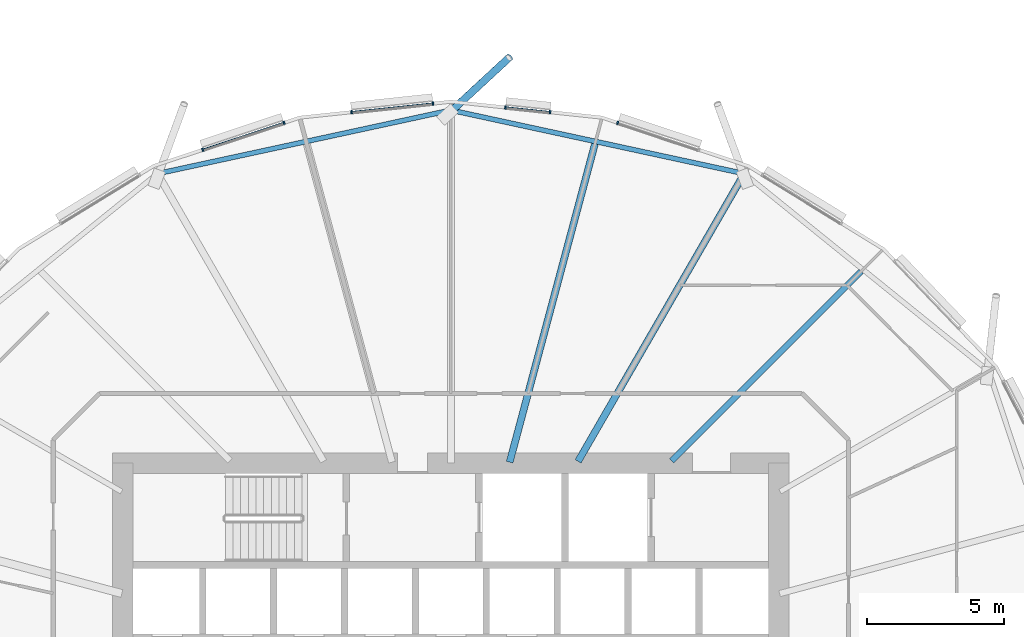
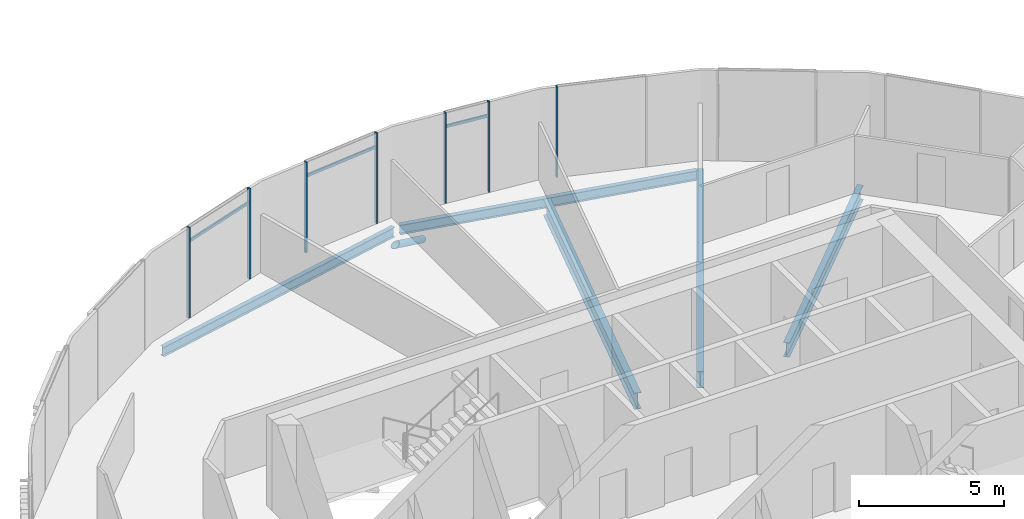
# One storey, part 10 of 42: 11 members, 5 beams, 1 element without a shape of its own.
"""IFC4 building model written with IfcOpenShell, lengths in metres."""

from ifc_helpers import new_model, si_unit, direction, frame, origin, origin_2d, place, context, subcontext, project, spatial, rectangle, hollow_circle, i_section, extrude, clip, halfspace, material, material_profile, profile_set, type_object, element, aggregate, save


model = new_model("IFC4")

# Units and contexts
model_context = context("Model", 3, precision=1e-05, world=origin(), true_north=direction((0.0, 1.0)))
body_context = subcontext(model_context, "Body", "Model", "MODEL_VIEW")
ifc_project = project(units=[si_unit("LENGTHUNIT", "METRE"), si_unit("AREAUNIT", "SQUARE_METRE"), si_unit("VOLUMEUNIT", "CUBIC_METRE"), si_unit("PLANEANGLEUNIT", "RADIAN"), si_unit("MASSUNIT", "GRAM", prefix="KILO")], contexts=[model_context])

# Site, building, storey
site_placement = place(None, origin())
site = spatial("IfcSite", under=ifc_project, at=site_placement, CompositionType="ELEMENT")
building_placement = place(site_placement, origin())
building = spatial("IfcBuilding", under=site, at=building_placement, Name="Rimbun Link Towers", CompositionType="ELEMENT")
storey_placement = place(building_placement, frame((0.0, 0.0, 85.39990234375)))
storey = spatial("IfcBuildingStorey", under=building, at=storey_placement, Name="L20", CompositionType="ELEMENT", Elevation=85.39990234375)

# Curtain wall, members
ifc_material_1 = material(Name="Aluminium 6063-T6 and low-iron glass", Category="aluminium")
curtain_wall_type = type_object("IfcCurtainWallType", Name="CW1-Z2 unitised vision wall (zone 2)", PredefinedType="NOTDEFINED", material=ifc_material_1)
curtain_wall_placement = place(storey_placement, origin())
curtain_wall = element("IfcCurtainWall", 1, at=curtain_wall_placement, inside=storey, type_object=curtain_wall_type, Name="CW1 L20 T1", PredefinedType="NOTDEFINED")
ifc_material_2 = material(Name="Aluminium 6063-T6", Category="aluminium")
ifc_material_profile_1 = material_profile(ifc_material_2, rectangle(XDim=0.1201171875, YDim=0.06005859375, at=origin_2d()), Name="MULLION 60X120")
ifc_profile_set_1 = profile_set([ifc_material_profile_1], Name="Aluminium 6063-T6")
member_type_1 = type_object("IfcMemberType", Name="CW1 mullion 60X120", PredefinedType="MULLION", material=ifc_profile_set_1)
member_1_placement = place(storey_placement, frame((-25.645751953125, 20.453369140625, 0.0), z_axis=(0.0, 0.0, 1.0), x_axis=(0.314576015911, 0.949232284646, 0.0)))
member_1 = element("IfcMember", 2, at=member_1_placement, type_object=member_type_1, Name="CW1 mullion", PredefinedType="MULLION", context=body_context, shape_type="SweptSolid", body=[
    extrude(rectangle(XDim=0.1201171875, YDim=0.06005859375, at=origin_2d()), origin(), (0.0, 0.0, 1.0), 3.800048828125),
])
member_2_placement = place(storey_placement, frame((-29.754638671875, 21.01611328125, 0.0), z_axis=(0.0, 0.0, 1.0), x_axis=(0.104736404583, 0.994500017876, 0.0)))
member_2 = element("IfcMember", 3, at=member_2_placement, type_object=member_type_1, Name="CW1 mullion", PredefinedType="MULLION", context=body_context, shape_type="SweptSolid", body=[
    extrude(rectangle(XDim=0.1201171875, YDim=0.06005859375, at=origin_2d()), origin(), (0.0, 0.0, 1.0), 3.800048828125),
])
member_3_placement = place(storey_placement, frame((-28.117431640625, 20.84375, 0.0), z_axis=(0.0, 0.0, 1.0), x_axis=(0.104736404583, 0.994500017876, 0.0)))
member_3 = element("IfcMember", 4, at=member_3_placement, type_object=member_type_1, Name="CW1 mullion", PredefinedType="MULLION", context=body_context, shape_type="SweptSolid", body=[
    extrude(rectangle(XDim=0.1201171875, YDim=0.06005859375, at=origin_2d()), origin(), (0.0, 0.0, 1.0), 3.800048828125),
])
member_4_placement = place(storey_placement, frame((-35.382568359375, 20.84375, 0.0), z_axis=(0.0, 0.0, 1.0), x_axis=(-0.104736404583, 0.994500017876, 0.0)))
member_4 = element("IfcMember", 5, at=member_4_placement, type_object=member_type_1, Name="CW1 mullion", PredefinedType="MULLION", context=body_context, shape_type="SweptSolid", body=[
    extrude(rectangle(XDim=0.1201171875, YDim=0.06005859375, at=origin_2d()), origin(), (0.0, 0.0, 1.0), 3.800048828125),
])
member_5_placement = place(storey_placement, frame((-32.402587890625, 21.157470703125, 0.0), z_axis=(0.0, 0.0, 1.0), x_axis=(-0.104736404583, 0.994500017876, 0.0)))
member_5 = element("IfcMember", 6, at=member_5_placement, type_object=member_type_1, Name="CW1 mullion", PredefinedType="MULLION", context=body_context, shape_type="SweptSolid", body=[
    extrude(rectangle(XDim=0.1201171875, YDim=0.06005859375, at=origin_2d()), origin(), (0.0, 0.0, 1.0), 3.800048828125),
])
member_6_placement = place(storey_placement, frame((-40.8271484375, 19.468017578125, 0.0), z_axis=(0.0, 0.0, 1.0), x_axis=(-0.314576015911, 0.949232284646, 0.0)))
member_6 = element("IfcMember", 7, at=member_6_placement, type_object=member_type_1, Name="CW1 mullion", PredefinedType="MULLION", context=body_context, shape_type="SweptSolid", body=[
    extrude(rectangle(XDim=0.1201171875, YDim=0.06005859375, at=origin_2d()), origin(), (0.0, 0.0, 1.0), 3.800048828125),
])
member_7_placement = place(storey_placement, frame((-37.854248046875, 20.453369140625, 0.0), z_axis=(0.0, 0.0, 1.0), x_axis=(-0.314576015911, 0.949232284646, 0.0)))
member_7 = element("IfcMember", 8, at=member_7_placement, type_object=member_type_1, Name="CW1 mullion", PredefinedType="MULLION", context=body_context, shape_type="SweptSolid", body=[
    extrude(rectangle(XDim=0.1201171875, YDim=0.06005859375, at=origin_2d()), origin(), (0.0, 0.0, 1.0), 3.800048828125),
])
ifc_material_3 = material(Name="Aluminium 6063-T6", Category="aluminium")
ifc_material_profile_2 = material_profile(ifc_material_3, rectangle(XDim=0.06005859375, YDim=0.1201171875, at=origin_2d()), Name="TRANSOM 60X120")
ifc_profile_set_2 = profile_set([ifc_material_profile_2], Name="Aluminium 6063-T6")
member_type_2 = type_object("IfcMemberType", Name="CW1 transom 60X120", PredefinedType="USERDEFINED", material=ifc_profile_set_2)
member_8_placement = place(storey_placement, frame((-29.72509765625, 21.010986328125, 3.2001953125), z_axis=(0.99450882558, -0.104652739306, 0.0), x_axis=(0.104652739306, 0.99450882558, 0.0)))
member_8 = element("IfcMember", 9, at=member_8_placement, type_object=member_type_2, Name="CW1 transom", ObjectType="TRANSOM", PredefinedType="USERDEFINED", context=body_context, shape_type="SweptSolid", body=[
    extrude(rectangle(XDim=0.06005859375, YDim=0.1201171875, at=origin_2d()), origin(), (0.0, 0.0, 1.0), 1.58642578125),
])
member_9_placement = place(storey_placement, frame((-35.3525390625, 20.844970703125, 3.2001953125), z_axis=(0.994505908505, 0.104680456384, 0.0), x_axis=(-0.104680456384, 0.994505908505, 0.0)))
member_9 = element("IfcMember", 10, at=member_9_placement, type_object=member_type_2, Name="CW1 transom", ObjectType="TRANSOM", PredefinedType="USERDEFINED", context=body_context, shape_type="SweptSolid", body=[
    extrude(rectangle(XDim=0.06005859375, YDim=0.1201171875, at=origin_2d()), origin(), (0.0, 0.0, 1.0), 2.936279296875),
])
member_10_placement = place(storey_placement, frame((-40.798095703125, 19.4755859375, 3.2001953125), z_axis=(0.949238148414, 0.314558321452, 0.0), x_axis=(-0.314558321452, 0.949238148414, 0.0)))
member_10 = element("IfcMember", 11, at=member_10_placement, type_object=member_type_2, Name="CW1 transom", ObjectType="TRANSOM", PredefinedType="USERDEFINED", context=body_context, shape_type="SweptSolid", body=[
    extrude(rectangle(XDim=0.06005859375, YDim=0.1201171875, at=origin_2d()), origin(), (0.0, 0.0, 1.0), 3.072021484375),
])
aggregate(curtain_wall, [member_1, member_2, member_3, member_4, member_5, member_6, member_7, member_8, member_9, member_10])

# Member
ifc_material_4 = material(Name="Steel S355J2H", Category="steel")
ifc_material_profile_3 = material_profile(ifc_material_4, hollow_circle(Radius=0.136474609375, WallThickness=0.012451171875, at=origin_2d()), Name="CHS 273x12.5")
ifc_profile_set_3 = profile_set([ifc_material_profile_3], Name="Steel S355J2H")
member_type_3 = type_object("IfcMemberType", Name="Floor edge link CHS 273x12.5", PredefinedType="BRACE", material=ifc_profile_set_3)
member_11_placement = place(storey_placement, frame((-31.75, 20.864501953125, -0.9609375), z_axis=(0.631149036449, 0.583744831533, -0.510776727591), x_axis=(-0.678999338373, 0.734138882289, 0.0)))
element("IfcMember", 12, at=member_11_placement, inside=storey, type_object=member_type_3, Name="Floor edge link T1 L20 06", PredefinedType="BRACE", context=body_context, shape_type="Clipping", body=[
    clip(extrude(hollow_circle(Radius=0.136474609375, WallThickness=0.012451171875, at=origin_2d()), frame((0.0, 0.0, -0.47900390625)), (0.0, 0.0, 1.0), 3.888427734375), halfspace(frame((0.0, 0.0, -0.22607421875), z_axis=(0.0, 0.859713402566, -0.510776727591)), False)),
])

# Beams
ifc_material_5 = material(Name="Steel S355J2", Category="steel")
ifc_material_profile_4 = material_profile(ifc_material_5, i_section(OverallWidth=0.177978515625, OverallDepth=0.406494140625, WebThickness=0.0078125, FlangeThickness=0.0126953125, at=origin_2d()), Name="UB 406x178x60")
ifc_profile_set_4 = profile_set([ifc_material_profile_4], Name="Steel S355J2")
beam_type_1 = type_object("IfcBeamType", Name="UB 406x178x60", PredefinedType="BEAM", material=ifc_profile_set_4)
for number, where, z_axis, x_axis, name in (
    (13, (-21.14697265625, 18.62060546875, -0.363037109375), (-0.97738681587, 0.211459244686, 0.0), (-0.211459244686, -0.97738681587, 0.0), "Edge beam T1 L20 04-06"),
    (14, (-31.877685546875, 20.886962890625, -0.363037109375), (-0.97738681587, -0.211459244686, 0.0), (0.211459244686, -0.97738681587, 0.0), "Edge beam T1 L20 06-08"),
):
    element("IfcBeam", number, at=place(storey_placement, frame(where, z_axis=z_axis, x_axis=x_axis)), inside=storey, type_object=beam_type_1, Name=name, PredefinedType="BEAM", context=body_context, shape_type="SweptSolid", body=[
        extrude(i_section(OverallWidth=0.177978515625, OverallDepth=0.406494140625, WebThickness=0.0078125, FlangeThickness=0.0126953125, at=origin_2d()), origin(), (0.0, 0.0, 1.0), 10.7177734375),
    ])
ifc_material_6 = material(Name="Steel S355J2", Category="steel")
ifc_material_profile_5 = material_profile(ifc_material_6, i_section(OverallWidth=0.2275390625, OverallDepth=0.6025390625, WebThickness=0.010498046875, FlangeThickness=0.014892578125, at=origin_2d()), Name="UB 610x229x101")
ifc_profile_set_5 = profile_set([ifc_material_profile_5], Name="Steel S355J2")
beam_type_2 = type_object("IfcBeamType", Name="UB 610x229x101", PredefinedType="BEAM", material=ifc_profile_set_5)
beam_1_placement = place(storey_placement, frame((-23.668701171875, 8.081298828125, -0.461181640625), z_axis=(0.707106781187, 0.707106781187, 0.0), x_axis=(-0.707106781187, 0.707106781187, 0.0)))
element("IfcBeam", 15, at=beam_1_placement, inside=storey, type_object=beam_type_2, Name="Radial beam T1 L20 03", PredefinedType="BEAM", context=body_context, shape_type="SweptSolid", body=[
    extrude(i_section(OverallWidth=0.2275390625, OverallDepth=0.6025390625, WebThickness=0.010498046875, FlangeThickness=0.014892578125, at=origin_2d()), origin(), (0.0, 0.0, 1.0), 9.809326171875),
])
ifc_material_7 = material(Name="Steel S355J2", Category="steel")
ifc_material_profile_6 = material_profile(ifc_material_7, i_section(OverallWidth=0.253662109375, OverallDepth=0.68359375, WebThickness=0.012451171875, FlangeThickness=0.01904296875, at=origin_2d()), Name="UB 686x254x140")
ifc_profile_set_6 = profile_set([ifc_material_profile_6], Name="Steel S355J2")
beam_type_3 = type_object("IfcBeamType", Name="UB 686x254x140", PredefinedType="BEAM", material=ifc_profile_set_6)
beam_2_placement = place(storey_placement, frame((-27.093994140625, 8.064208984375, -0.501708984375), z_axis=(0.499998860433, 0.866026061713, 0.0), x_axis=(-0.866026061713, 0.499998860433, 0.0)))
element("IfcBeam", 16, at=beam_2_placement, inside=storey, type_object=beam_type_3, Name="Radial beam T1 L20 04", PredefinedType="BEAM", context=body_context, shape_type="SweptSolid", body=[
    extrude(i_section(OverallWidth=0.253662109375, OverallDepth=0.68359375, WebThickness=0.012451171875, FlangeThickness=0.01904296875, at=origin_2d()), origin(), (0.0, 0.0, 1.0), 12.15673828125),
])
beam_3_placement = place(storey_placement, frame((-29.597412109375, 8.03369140625, -0.501708984375), z_axis=(0.258821765746, 0.965925097291, 0.0), x_axis=(-0.965925097291, 0.258821765746, 0.0)))
element("IfcBeam", 17, at=beam_3_placement, inside=storey, type_object=beam_type_3, Name="Radial beam T1 L20 05", PredefinedType="BEAM", context=body_context, shape_type="SweptSolid", body=[
    extrude(i_section(OverallWidth=0.253662109375, OverallDepth=0.68359375, WebThickness=0.012451171875, FlangeThickness=0.01904296875, at=origin_2d()), origin(), (0.0, 0.0, 1.0), 12.058837890625),
])

save(model, "model.ifc")
